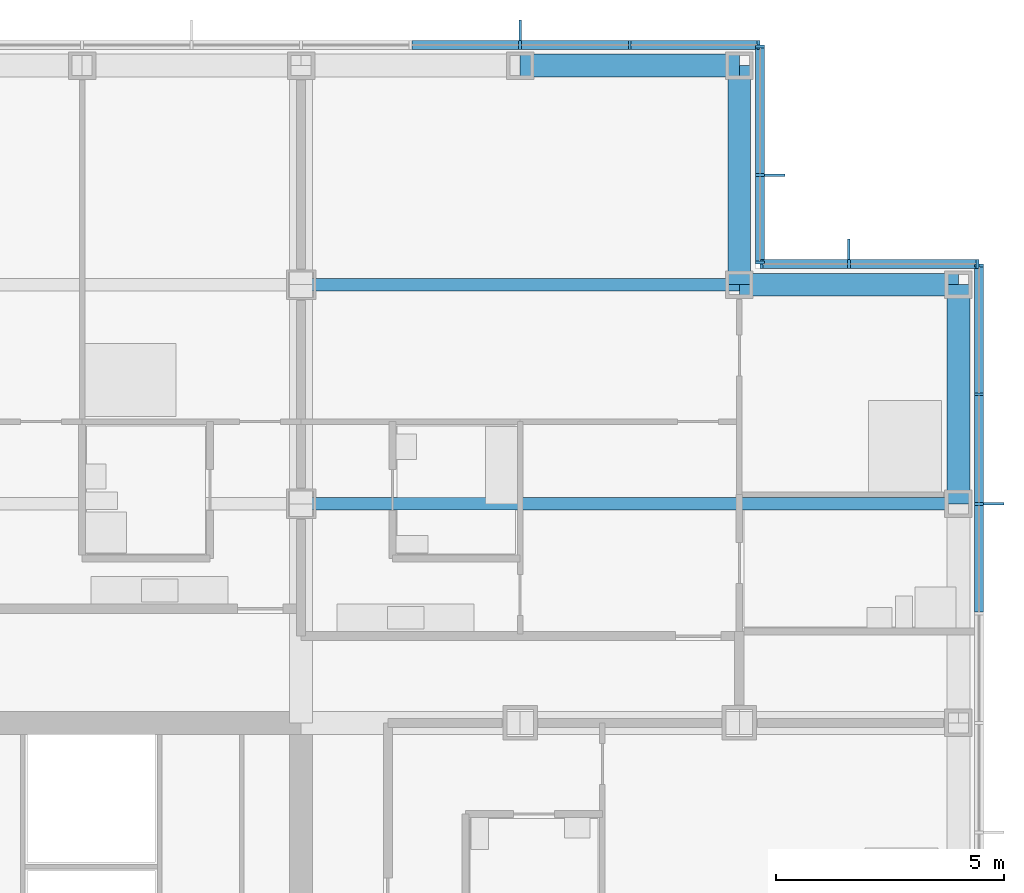
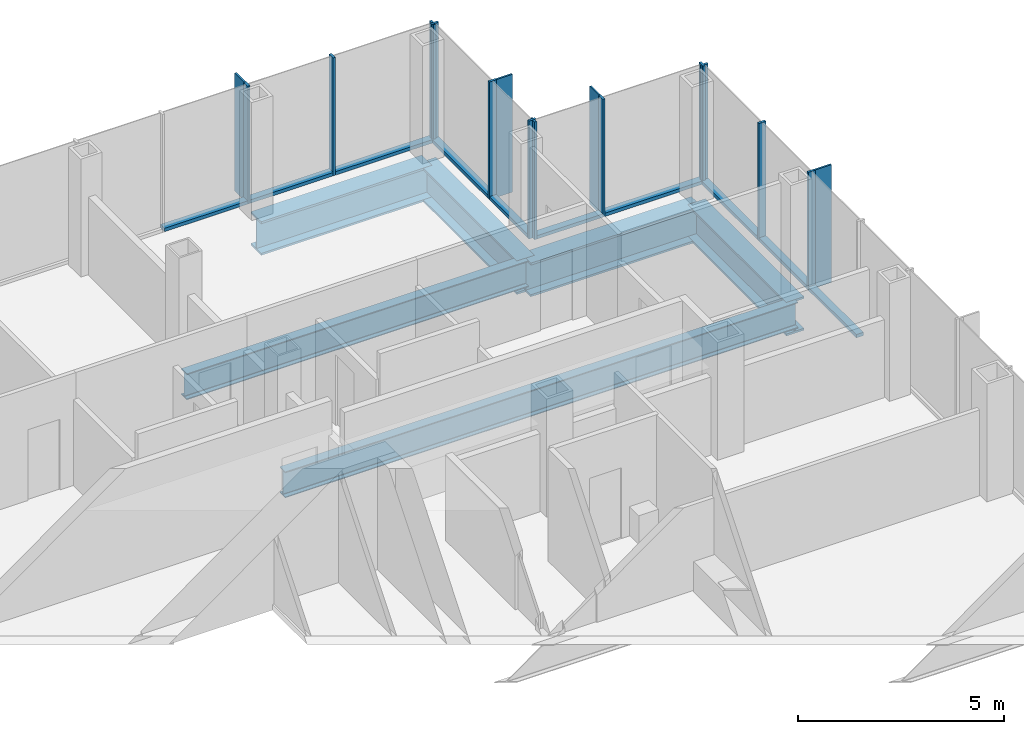
# One storey, part 11 of 21: 26 members, 6 beams, 4 elements without a shape of their own.
"""IFC4 building model written with IfcOpenShell, lengths in metres."""

from ifc_helpers import new_model, si_unit, direction, frame, origin, origin_2d, place, context, subcontext, project, spatial, rectangle, i_section, extrude, material, material_profile, profile_set, type_object, element, aggregate, save


model = new_model("IFC4")

# Units and contexts
model_context = context("Model", 3, precision=1e-05, world=origin(), true_north=direction((0.0, 1.0)))
body_context = subcontext(model_context, "Body", "Model", "MODEL_VIEW")
ifc_project = project(units=[si_unit("LENGTHUNIT", "METRE"), si_unit("AREAUNIT", "SQUARE_METRE"), si_unit("VOLUMEUNIT", "CUBIC_METRE"), si_unit("PLANEANGLEUNIT", "RADIAN"), si_unit("MASSUNIT", "GRAM", prefix="KILO")], contexts=[model_context])

# Site, building, storey
site_placement = place(None, origin())
site = spatial("IfcSite", under=ifc_project, at=site_placement, CompositionType="ELEMENT")
building_placement = place(site_placement, origin())
building = spatial("IfcBuilding", under=site, at=building_placement, Name="Kvirike Care Tower", CompositionType="ELEMENT")
storey_placement = place(building_placement, frame((0.0, 0.0, 62.0)))
storey = spatial("IfcBuildingStorey", under=building, at=storey_placement, Name="L16", CompositionType="ELEMENT", Elevation=62.0)

# Curtain wall, member
ifc_material_1 = material(Name="Anodised aluminium stick system", Category="aluminium")
curtain_wall_type = type_object("IfcCurtainWallType", Name="CW-A STICK CURTAIN WALL", PredefinedType="NOTDEFINED", material=ifc_material_1)
curtain_wall_1_placement = place(storey_placement, origin())
curtain_wall_1 = element("IfcCurtainWall", 1, at=curtain_wall_1_placement, inside=storey, type_object=curtain_wall_type, Name="Curtain wall L16 face 7", PredefinedType="NOTDEFINED")
ifc_material_2 = material(Name="Bronze anodised aluminium fin", Category="aluminium")
ifc_material_profile_1 = material_profile(ifc_material_2, rectangle(XDim=0.050048828125, YDim=0.449951171875, at=origin_2d()), Name="BRONZE FIN 450")
ifc_profile_set_1 = profile_set([ifc_material_profile_1], Name="Bronze anodised aluminium fin")
member_type_1 = type_object("IfcMemberType", Name="BRONZE FIN 450", PredefinedType="USERDEFINED", material=ifc_profile_set_1)
member_1_placement = place(storey_placement, frame((43.97509765625, 48.0, 0.0), z_axis=(0.0, 0.0, 1.0), x_axis=(0.0, 1.0, 0.0)))
member_1 = element("IfcMember", 2, at=member_1_placement, type_object=member_type_1, Name="Bronze fin L16 face 7.13", ObjectType="FIN", PredefinedType="USERDEFINED", context=body_context, shape_type="SweptSolid", body=[
    extrude(rectangle(XDim=0.050048828125, YDim=0.449951171875, at=origin_2d()), origin(), (0.0, 0.0, 1.0), 3.5),
])

curtain_wall_2_placement = place(storey_placement, origin())
curtain_wall_2 = element("IfcCurtainWall", 3, at=curtain_wall_2_placement, inside=storey, type_object=curtain_wall_type, Name="Curtain wall L16 face 8", PredefinedType="NOTDEFINED")
member_2_placement = place(storey_placement, frame((40.800048828125, 53.574951171875, 0.0), z_axis=(0.0, 0.0, 1.0), x_axis=(-1.0, 0.0, 0.0)))
member_2 = element("IfcMember", 4, at=member_2_placement, type_object=member_type_1, Name="Bronze fin L16 face 8.2", ObjectType="FIN", PredefinedType="USERDEFINED", context=body_context, shape_type="SweptSolid", body=[
    extrude(rectangle(XDim=0.050048828125, YDim=0.449951171875, at=origin_2d()), origin(), (0.0, 0.0, 1.0), 3.5),
])

curtain_wall_3_placement = place(storey_placement, origin())
curtain_wall_3 = element("IfcCurtainWall", 5, at=curtain_wall_3_placement, inside=storey, type_object=curtain_wall_type, Name="Curtain wall L16 face 9", PredefinedType="NOTDEFINED")
member_3_placement = place(storey_placement, frame((39.175048828125, 55.199951171875, 0.0), z_axis=(0.0, 0.0, 1.0), x_axis=(0.0, 1.0, 0.0)))
member_3 = element("IfcMember", 6, at=member_3_placement, type_object=member_type_1, Name="Bronze fin L16 face 9.2", ObjectType="FIN", PredefinedType="USERDEFINED", context=body_context, shape_type="SweptSolid", body=[
    extrude(rectangle(XDim=0.050048828125, YDim=0.449951171875, at=origin_2d()), origin(), (0.0, 0.0, 1.0), 3.5),
])

curtain_wall_4_placement = place(storey_placement, origin())
curtain_wall_4 = element("IfcCurtainWall", 7, at=curtain_wall_4_placement, inside=storey, type_object=curtain_wall_type, Name="Curtain wall L16 face 10", PredefinedType="NOTDEFINED")
member_4_placement = place(storey_placement, frame((33.60009765625, 58.375, 0.0), z_axis=(0.0, 0.0, 1.0), x_axis=(-1.0, 0.0, 0.0)))
member_4 = element("IfcMember", 8, at=member_4_placement, type_object=member_type_1, Name="Bronze fin L16 face 10.3", ObjectType="FIN", PredefinedType="USERDEFINED", context=body_context, shape_type="SweptSolid", body=[
    extrude(rectangle(XDim=0.050048828125, YDim=0.449951171875, at=origin_2d()), origin(), (0.0, 0.0, 1.0), 3.5),
])

# Member
ifc_material_3 = material(Name="Bronze anodised aluminium mullion", Category="aluminium")
ifc_material_profile_2 = material_profile(ifc_material_3, rectangle(XDim=0.06494140625, YDim=0.199951171875, at=origin_2d()), Name="CW-A MULLION 65x200")
ifc_profile_set_2 = profile_set([ifc_material_profile_2], Name="Bronze anodised aluminium mullion")
member_type_2 = type_object("IfcMemberType", Name="CW-A MULLION 65x200", PredefinedType="MULLION", material=ifc_profile_set_2)
member_5_placement = place(storey_placement, frame((43.64990234375, 48.0, 0.0), z_axis=(0.0, 0.0, 1.0), x_axis=(0.0, 1.0, 0.0)))
member_5 = element("IfcMember", 9, at=member_5_placement, type_object=member_type_2, Name="CW-A mullion L16 face 7.13", PredefinedType="MULLION", context=body_context, shape_type="SweptSolid", body=[
    extrude(rectangle(XDim=0.06494140625, YDim=0.199951171875, at=origin_2d()), origin(), (0.0, 0.0, 1.0), 3.5),
])

member_6_placement = place(storey_placement, frame((43.64990234375, 50.39990234375, 0.0), z_axis=(0.0, 0.0, 1.0), x_axis=(0.0, 1.0, 0.0)))
member_6 = element("IfcMember", 10, at=member_6_placement, type_object=member_type_2, Name="CW-A mullion L16 face 7.14", PredefinedType="MULLION", context=body_context, shape_type="SweptSolid", body=[
    extrude(rectangle(XDim=0.06494140625, YDim=0.199951171875, at=origin_2d()), origin(), (0.0, 0.0, 1.0), 3.5),
])

member_7_placement = place(storey_placement, frame((43.64990234375, 53.217529296875, 0.0), z_axis=(0.0, 0.0, 1.0), x_axis=(0.0, 1.0, 0.0)))
member_7 = element("IfcMember", 11, at=member_7_placement, type_object=member_type_2, Name="CW-A mullion L16 face 7.15", PredefinedType="MULLION", context=body_context, shape_type="SweptSolid", body=[
    extrude(rectangle(XDim=0.06494140625, YDim=0.199951171875, at=origin_2d()), origin(), (0.0, 0.0, 1.0), 3.5),
])

member_8_placement = place(storey_placement, frame((43.617431640625, 53.25, 0.0), z_axis=(0.0, 0.0, 1.0), x_axis=(-1.0, 0.0, 0.0)))
member_8 = element("IfcMember", 12, at=member_8_placement, type_object=member_type_2, Name="CW-A mullion L16 face 8.1", PredefinedType="MULLION", context=body_context, shape_type="SweptSolid", body=[
    extrude(rectangle(XDim=0.06494140625, YDim=0.199951171875, at=origin_2d()), origin(), (0.0, 0.0, 1.0), 3.5),
])

member_9_placement = place(storey_placement, frame((40.800048828125, 53.25, 0.0), z_axis=(0.0, 0.0, 1.0), x_axis=(-1.0, 0.0, 0.0)))
member_9 = element("IfcMember", 13, at=member_9_placement, type_object=member_type_2, Name="CW-A mullion L16 face 8.2", PredefinedType="MULLION", context=body_context, shape_type="SweptSolid", body=[
    extrude(rectangle(XDim=0.06494140625, YDim=0.199951171875, at=origin_2d()), origin(), (0.0, 0.0, 1.0), 3.5),
])

member_10_placement = place(storey_placement, frame((38.882568359375, 53.25, 0.0), z_axis=(0.0, 0.0, 1.0), x_axis=(-1.0, 0.0, 0.0)))
member_10 = element("IfcMember", 14, at=member_10_placement, type_object=member_type_2, Name="CW-A mullion L16 face 8.3", PredefinedType="MULLION", context=body_context, shape_type="SweptSolid", body=[
    extrude(rectangle(XDim=0.06494140625, YDim=0.199951171875, at=origin_2d()), origin(), (0.0, 0.0, 1.0), 3.5),
])

member_11_placement = place(storey_placement, frame((38.85009765625, 53.282470703125, 0.0), z_axis=(0.0, 0.0, 1.0), x_axis=(0.0, 1.0, 0.0)))
member_11 = element("IfcMember", 15, at=member_11_placement, type_object=member_type_2, Name="CW-A mullion L16 face 9.1", PredefinedType="MULLION", context=body_context, shape_type="SweptSolid", body=[
    extrude(rectangle(XDim=0.06494140625, YDim=0.199951171875, at=origin_2d()), origin(), (0.0, 0.0, 1.0), 3.5),
])

member_12_placement = place(storey_placement, frame((38.85009765625, 55.199951171875, 0.0), z_axis=(0.0, 0.0, 1.0), x_axis=(0.0, 1.0, 0.0)))
member_12 = element("IfcMember", 16, at=member_12_placement, type_object=member_type_2, Name="CW-A mullion L16 face 9.2", PredefinedType="MULLION", context=body_context, shape_type="SweptSolid", body=[
    extrude(rectangle(XDim=0.06494140625, YDim=0.199951171875, at=origin_2d()), origin(), (0.0, 0.0, 1.0), 3.5),
])

member_13_placement = place(storey_placement, frame((38.85009765625, 58.017578125, 0.0), z_axis=(0.0, 0.0, 1.0), x_axis=(0.0, 1.0, 0.0)))
member_13 = element("IfcMember", 17, at=member_13_placement, type_object=member_type_2, Name="CW-A mullion L16 face 9.3", PredefinedType="MULLION", context=body_context, shape_type="SweptSolid", body=[
    extrude(rectangle(XDim=0.06494140625, YDim=0.199951171875, at=origin_2d()), origin(), (0.0, 0.0, 1.0), 3.5),
])

member_14_placement = place(storey_placement, frame((38.8173828125, 58.050048828125, 0.0), z_axis=(0.0, 0.0, 1.0), x_axis=(-1.0, 0.0, 0.0)))
member_14 = element("IfcMember", 18, at=member_14_placement, type_object=member_type_2, Name="CW-A mullion L16 face 10.1", PredefinedType="MULLION", context=body_context, shape_type="SweptSolid", body=[
    extrude(rectangle(XDim=0.06494140625, YDim=0.199951171875, at=origin_2d()), origin(), (0.0, 0.0, 1.0), 3.5),
])

member_15_placement = place(storey_placement, frame((36.0, 58.050048828125, 0.0), z_axis=(0.0, 0.0, 1.0), x_axis=(-1.0, 0.0, 0.0)))
member_15 = element("IfcMember", 19, at=member_15_placement, type_object=member_type_2, Name="CW-A mullion L16 face 10.2", PredefinedType="MULLION", context=body_context, shape_type="SweptSolid", body=[
    extrude(rectangle(XDim=0.06494140625, YDim=0.199951171875, at=origin_2d()), origin(), (0.0, 0.0, 1.0), 3.5),
])

member_16_placement = place(storey_placement, frame((33.60009765625, 58.050048828125, 0.0), z_axis=(0.0, 0.0, 1.0), x_axis=(-1.0, 0.0, 0.0)))
member_16 = element("IfcMember", 20, at=member_16_placement, type_object=member_type_2, Name="CW-A mullion L16 face 10.3", PredefinedType="MULLION", context=body_context, shape_type="SweptSolid", body=[
    extrude(rectangle(XDim=0.06494140625, YDim=0.199951171875, at=origin_2d()), origin(), (0.0, 0.0, 1.0), 3.5),
])

ifc_material_4 = material(Name="Bronze anodised aluminium transom", Category="aluminium")
ifc_material_profile_3 = material_profile(ifc_material_4, rectangle(XDim=0.199951171875, YDim=0.10009765625, at=origin_2d()), Name="CW-A TRANSOM 200x100")
ifc_profile_set_3 = profile_set([ifc_material_profile_3], Name="Bronze anodised aluminium transom")
member_type_3 = type_object("IfcMemberType", Name="CW-A TRANSOM 200x100", PredefinedType="USERDEFINED", material=ifc_profile_set_3)
member_17_placement = place(storey_placement, frame((43.64990234375, 45.632568359375, 0.050048828125), z_axis=(0.0, 1.0, 0.0), x_axis=(-1.0, 0.0, 0.0)))
member_17 = element("IfcMember", 21, at=member_17_placement, type_object=member_type_3, Name="CW-A sill transom L16 face 7.12", ObjectType="TRANSOM", PredefinedType="USERDEFINED", context=body_context, shape_type="SweptSolid", body=[
    extrude(rectangle(XDim=0.199951171875, YDim=0.10009765625, at=origin_2d()), origin(), (0.0, 0.0, 1.0), 2.3349609375),
])

member_18_placement = place(storey_placement, frame((43.64990234375, 48.032470703125, 0.050048828125), z_axis=(0.0, 1.0, 0.0), x_axis=(-1.0, 0.0, 0.0)))
member_18 = element("IfcMember", 22, at=member_18_placement, type_object=member_type_3, Name="CW-A sill transom L16 face 7.13", ObjectType="TRANSOM", PredefinedType="USERDEFINED", context=body_context, shape_type="SweptSolid", body=[
    extrude(rectangle(XDim=0.199951171875, YDim=0.10009765625, at=origin_2d()), origin(), (0.0, 0.0, 1.0), 2.3349609375),
])

member_19_placement = place(storey_placement, frame((43.64990234375, 50.4326171875, 0.050048828125), z_axis=(0.0, 1.0, 0.0), x_axis=(-1.0, 0.0, 0.0)))
member_19 = element("IfcMember", 23, at=member_19_placement, type_object=member_type_3, Name="CW-A sill transom L16 face 7.14", ObjectType="TRANSOM", PredefinedType="USERDEFINED", context=body_context, shape_type="SweptSolid", body=[
    extrude(rectangle(XDim=0.199951171875, YDim=0.10009765625, at=origin_2d()), origin(), (0.0, 0.0, 1.0), 2.75244140625),
])

aggregate(curtain_wall_1, [member_5, member_1, member_6, member_7, member_17, member_18, member_19])

member_20_placement = place(storey_placement, frame((43.5849609375, 53.25, 0.050048828125), z_axis=(-1.0, 0.0, 0.0), x_axis=(0.0, -1.0, 0.0)))
member_20 = element("IfcMember", 24, at=member_20_placement, type_object=member_type_3, Name="CW-A sill transom L16 face 8.1", ObjectType="TRANSOM", PredefinedType="USERDEFINED", context=body_context, shape_type="SweptSolid", body=[
    extrude(rectangle(XDim=0.199951171875, YDim=0.10009765625, at=origin_2d()), origin(), (0.0, 0.0, 1.0), 2.75244140625),
])

member_21_placement = place(storey_placement, frame((40.767578125, 53.25, 0.050048828125), z_axis=(-1.0, 0.0, 0.0), x_axis=(0.0, -1.0, 0.0)))
member_21 = element("IfcMember", 25, at=member_21_placement, type_object=member_type_3, Name="CW-A sill transom L16 face 8.2", ObjectType="TRANSOM", PredefinedType="USERDEFINED", context=body_context, shape_type="SweptSolid", body=[
    extrude(rectangle(XDim=0.199951171875, YDim=0.10009765625, at=origin_2d()), origin(), (0.0, 0.0, 1.0), 1.8525390625),
])

aggregate(curtain_wall_2, [member_8, member_9, member_2, member_10, member_20, member_21])

member_22_placement = place(storey_placement, frame((38.85009765625, 53.31494140625, 0.050048828125), z_axis=(0.0, 1.0, 0.0), x_axis=(-1.0, 0.0, 0.0)))
member_22 = element("IfcMember", 26, at=member_22_placement, type_object=member_type_3, Name="CW-A sill transom L16 face 9.1", ObjectType="TRANSOM", PredefinedType="USERDEFINED", context=body_context, shape_type="SweptSolid", body=[
    extrude(rectangle(XDim=0.199951171875, YDim=0.10009765625, at=origin_2d()), origin(), (0.0, 0.0, 1.0), 1.8525390625),
])

member_23_placement = place(storey_placement, frame((38.85009765625, 55.232421875, 0.050048828125), z_axis=(0.0, 1.0, 0.0), x_axis=(-1.0, 0.0, 0.0)))
member_23 = element("IfcMember", 27, at=member_23_placement, type_object=member_type_3, Name="CW-A sill transom L16 face 9.2", ObjectType="TRANSOM", PredefinedType="USERDEFINED", context=body_context, shape_type="SweptSolid", body=[
    extrude(rectangle(XDim=0.199951171875, YDim=0.10009765625, at=origin_2d()), origin(), (0.0, 0.0, 1.0), 2.752685546875),
])

aggregate(curtain_wall_3, [member_11, member_12, member_3, member_13, member_22, member_23])

member_24_placement = place(storey_placement, frame((38.784912109375, 58.050048828125, 0.050048828125), z_axis=(-1.0, 0.0, 0.0), x_axis=(0.0, -1.0, 0.0)))
member_24 = element("IfcMember", 28, at=member_24_placement, type_object=member_type_3, Name="CW-A sill transom L16 face 10.1", ObjectType="TRANSOM", PredefinedType="USERDEFINED", context=body_context, shape_type="SweptSolid", body=[
    extrude(rectangle(XDim=0.199951171875, YDim=0.10009765625, at=origin_2d()), origin(), (0.0, 0.0, 1.0), 2.75244140625),
])

member_25_placement = place(storey_placement, frame((35.967529296875, 58.050048828125, 0.050048828125), z_axis=(-1.0, 0.0, 0.0), x_axis=(0.0, -1.0, 0.0)))
member_25 = element("IfcMember", 29, at=member_25_placement, type_object=member_type_3, Name="CW-A sill transom L16 face 10.2", ObjectType="TRANSOM", PredefinedType="USERDEFINED", context=body_context, shape_type="SweptSolid", body=[
    extrude(rectangle(XDim=0.199951171875, YDim=0.10009765625, at=origin_2d()), origin(), (0.0, 0.0, 1.0), 2.3349609375),
])

member_26_placement = place(storey_placement, frame((33.5673828125, 58.050048828125, 0.050048828125), z_axis=(-1.0, 0.0, 0.0), x_axis=(0.0, -1.0, 0.0)))
member_26 = element("IfcMember", 30, at=member_26_placement, type_object=member_type_3, Name="CW-A sill transom L16 face 10.3", ObjectType="TRANSOM", PredefinedType="USERDEFINED", context=body_context, shape_type="SweptSolid", body=[
    extrude(rectangle(XDim=0.199951171875, YDim=0.10009765625, at=origin_2d()), origin(), (0.0, 0.0, 1.0), 2.3349609375),
])

aggregate(curtain_wall_4, [member_14, member_15, member_16, member_4, member_24, member_25, member_26])

# Beams
ifc_material_5 = material(Name="Steel S355", Category="steel")
ifc_material_profile_4 = material_profile(ifc_material_5, i_section(OverallWidth=0.26806640625, OverallDepth=0.77001953125, WebThickness=0.015625, FlangeThickness=0.025390625, FilletRadius=0.01708984375, at=origin_2d()), Name="IPE 750x196")
ifc_profile_set_4 = profile_set([ifc_material_profile_4], Name="Steel S355")
beam_type_1 = type_object("IfcBeamType", Name="FLOOR BEAM IPE 750x196", PredefinedType="BEAM", material=ifc_profile_set_4)
beam_1_placement = place(storey_placement, frame((28.800048828125, 48.0, -0.554931640625), z_axis=(1.0, 0.0, 0.0), x_axis=(0.0, 1.0, 0.0)))
element("IfcBeam", 31, at=beam_1_placement, inside=storey, type_object=beam_type_1, Name="Floor Beam L9-L12 L16", PredefinedType="BEAM", context=body_context, shape_type="SweptSolid", body=[
    extrude(i_section(OverallWidth=0.26806640625, OverallDepth=0.77001953125, WebThickness=0.015625, FlangeThickness=0.025390625, FilletRadius=0.01708984375, at=origin_2d()), origin(), (0.0, 0.0, 1.0), 14.39990234375),
])
beam_2_placement = place(storey_placement, frame((28.800048828125, 52.800048828125, -0.554931640625), z_axis=(1.0, 0.0, 0.0), x_axis=(0.0, 1.0, 0.0)))
element("IfcBeam", 32, at=beam_2_placement, inside=storey, type_object=beam_type_1, Name="Floor Beam M9-M11 L16", PredefinedType="BEAM", context=body_context, shape_type="SweptSolid", body=[
    extrude(i_section(OverallWidth=0.26806640625, OverallDepth=0.77001953125, WebThickness=0.015625, FlangeThickness=0.025390625, FilletRadius=0.01708984375, at=origin_2d()), origin(), (0.0, 0.0, 1.0), 9.599853515625),
])
ifc_material_6 = material(Name="Steel S355", Category="steel")
ifc_material_profile_5 = material_profile(ifc_material_6, i_section(OverallWidth=0.5, OverallDepth=1.0, WebThickness=0.030029296875, FlangeThickness=0.06005859375, at=origin_2d()), Name="PG 1000x500x30x60")
ifc_profile_set_5 = profile_set([ifc_material_profile_5], Name="Steel S355")
beam_type_2 = type_object("IfcBeamType", Name="SPANDREL PG 1000x500x30x60", PredefinedType="SPANDREL", material=ifc_profile_set_5)
beam_3_placement = place(storey_placement, frame((38.39990234375, 52.800048828125, -0.669921875), z_axis=(1.0, 0.0, 0.0), x_axis=(0.0, 1.0, 0.0)))
element("IfcBeam", 33, at=beam_3_placement, inside=storey, type_object=beam_type_2, Name="Spandrel M11-M12 L16", PredefinedType="SPANDREL", context=body_context, shape_type="SweptSolid", body=[
    extrude(i_section(OverallWidth=0.5, OverallDepth=1.0, WebThickness=0.030029296875, FlangeThickness=0.06005859375, at=origin_2d()), origin(), (0.0, 0.0, 1.0), 4.800048828125),
])
beam_4_placement = place(storey_placement, frame((33.60009765625, 57.60009765625, -0.669921875), z_axis=(1.0, 0.0, 0.0), x_axis=(0.0, 1.0, 0.0)))
element("IfcBeam", 34, at=beam_4_placement, inside=storey, type_object=beam_type_2, Name="Spandrel N10-N11 L16", PredefinedType="SPANDREL", context=body_context, shape_type="SweptSolid", body=[
    extrude(i_section(OverallWidth=0.5, OverallDepth=1.0, WebThickness=0.030029296875, FlangeThickness=0.06005859375, at=origin_2d()), origin(), (0.0, 0.0, 1.0), 4.7998046875),
])
for number, where, z_axis, x_axis, name in (
    (35, (38.39990234375, 52.800048828125, -0.669921875), (0.0, 1.0, 0.0), (-1.0, 0.0, 0.0), "Spandrel M11-N11 L16"),
    (36, (43.199951171875, 48.0, -0.669921875), (0.0, 1.0, 0.0), (-1.0, 0.0, 0.0), "Spandrel L12-M12 L16"),
):
    element("IfcBeam", number, at=place(storey_placement, frame(where, z_axis=z_axis, x_axis=x_axis)), inside=storey, type_object=beam_type_2, Name=name, PredefinedType="SPANDREL", context=body_context, shape_type="SweptSolid", body=[
        extrude(i_section(OverallWidth=0.5, OverallDepth=1.0, WebThickness=0.030029296875, FlangeThickness=0.06005859375, at=origin_2d()), origin(), (0.0, 0.0, 1.0), 4.800048828125),
    ])

save(model, "model.ifc")
